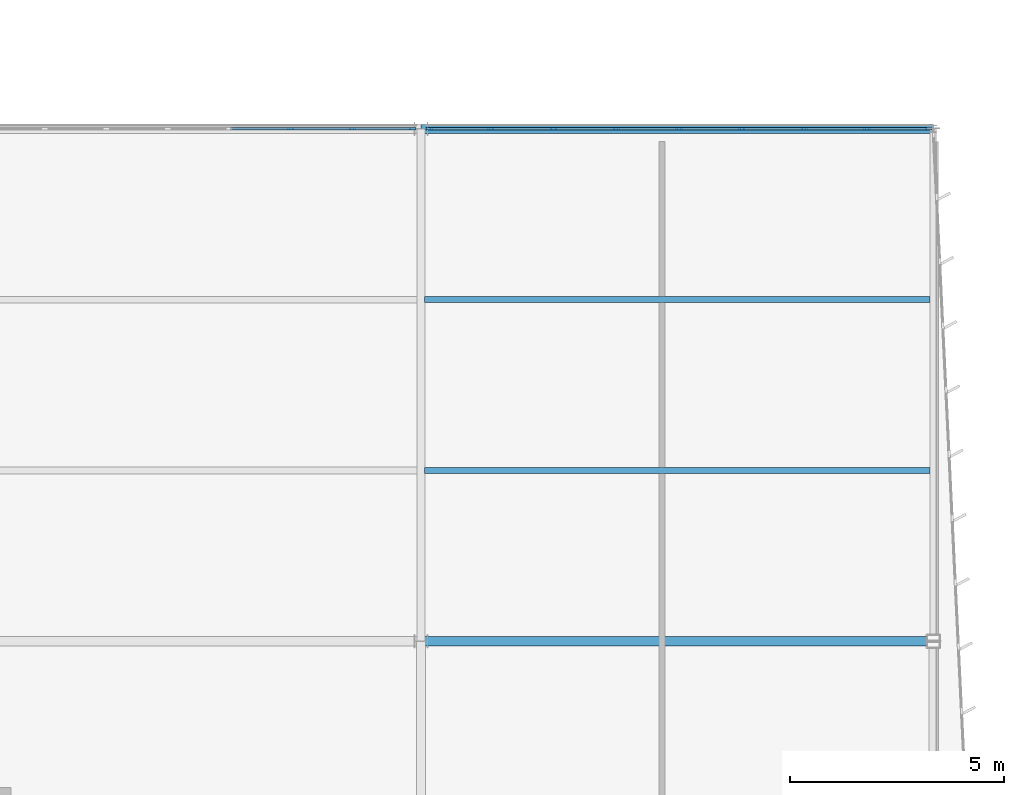
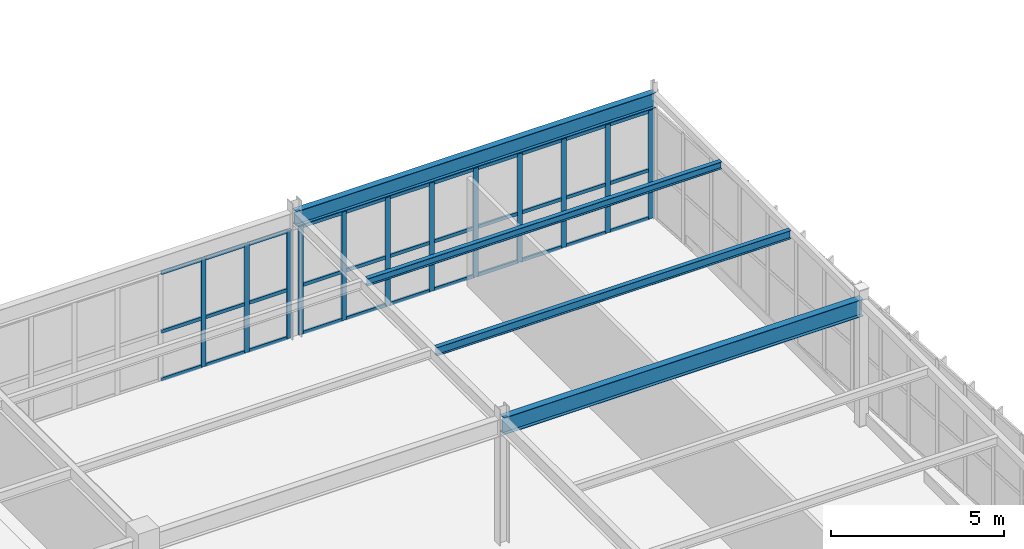
# One storey, part 117 of 226: 45 members, 4 beams, 2 elements without a shape of their own.
"""IFC4 building model written with IfcOpenShell, lengths in metres."""

from ifc_helpers import new_model, si_unit, direction, frame, origin, origin_2d, place, context, subcontext, project, spatial, rectangle, i_section, extrude, material, layer, layer_set, material_profile, profile_set, type_object, element, aggregate, save


model = new_model("IFC4")

# Units and contexts
model_context = context("Model", 3, precision=1e-05, world=origin(), true_north=direction((0.0, 1.0)))
body_context = subcontext(model_context, "Body", "Model", "MODEL_VIEW")
ifc_project = project(units=[si_unit("LENGTHUNIT", "METRE"), si_unit("AREAUNIT", "SQUARE_METRE"), si_unit("VOLUMEUNIT", "CUBIC_METRE"), si_unit("PLANEANGLEUNIT", "RADIAN"), si_unit("MASSUNIT", "GRAM", prefix="KILO")], contexts=[model_context])

# Site, building, storey
site_placement = place(None, origin())
site = spatial("IfcSite", under=ifc_project, at=site_placement, CompositionType="ELEMENT")
building_placement = place(site_placement, origin())
building = spatial("IfcBuilding", under=site, at=building_placement, Name="Tarnwether General Hospital", CompositionType="ELEMENT")
storey_placement = place(building_placement, frame((0.0, 0.0, 4.800048828125)))
storey = spatial("IfcBuildingStorey", under=building, at=storey_placement, Name="L01", CompositionType="ELEMENT", Elevation=4.800048828125)

# Beams
ifc_material_1 = material(Name="Steel Grade 350 (350 MPa)", Category="steel")
ifc_material_profile_1 = material_profile(ifc_material_1, i_section(OverallWidth=0.22802734375, OverallDepth=0.60205078125, WebThickness=0.010498046875, FlangeThickness=0.014892578125, at=origin_2d()), Name="610UB101")
ifc_profile_set_1 = profile_set([ifc_material_profile_1], Name="Steel Grade 350 (350 MPa)")
beam_type_1 = type_object("IfcBeamType", Name="BM-G05", PredefinedType="BEAM", material=ifc_profile_set_1)
beam_1_placement = place(storey_placement, frame((180.0, 33.60009765625, 4.14404296875), z_axis=(1.0, 0.0, 0.0), x_axis=(0.0, 1.0, 0.0)))
element("IfcBeam", 1, at=beam_1_placement, inside=storey, type_object=beam_type_1, Name="Primary Girder BMG-L01-18000_3360-19200_3360-1271", PredefinedType="BEAM", context=body_context, shape_type="SweptSolid", body=[
    extrude(i_section(OverallWidth=0.22802734375, OverallDepth=0.60205078125, WebThickness=0.010498046875, FlangeThickness=0.014892578125, at=origin_2d()), origin(), (0.0, 0.0, 1.0), 12.0),
])
ifc_material_2 = material(Name="Steel Grade 350 (350 MPa)", Category="steel")
ifc_material_profile_2 = material_profile(ifc_material_2, i_section(OverallWidth=0.208984375, OverallDepth=0.532958984375, WebThickness=0.01025390625, FlangeThickness=0.015625, at=origin_2d()), Name="530UB92.4")
ifc_profile_set_2 = profile_set([ifc_material_profile_2], Name="Steel Grade 350 (350 MPa)")
beam_type_2 = type_object("IfcBeamType", Name="BM-G06", PredefinedType="BEAM", material=ifc_profile_set_2)
beam_2_placement = place(storey_placement, frame((180.0, 45.60009765625, 4.178466796875), z_axis=(1.0, 0.0, 0.0), x_axis=(0.0, 1.0, 0.0)))
element("IfcBeam", 2, at=beam_2_placement, inside=storey, type_object=beam_type_2, Name="Primary Girder BMG-L01-18000_4560-19200_4560-1273", PredefinedType="BEAM", context=body_context, shape_type="SweptSolid", body=[
    extrude(i_section(OverallWidth=0.208984375, OverallDepth=0.532958984375, WebThickness=0.01025390625, FlangeThickness=0.015625, at=origin_2d()), origin(), (0.0, 0.0, 1.0), 12.0),
])
ifc_material_3 = material(Name="Steel Grade 350 (350 MPa)", Category="steel")
ifc_material_profile_3 = material_profile(ifc_material_3, i_section(OverallWidth=0.14892578125, OverallDepth=0.298095703125, WebThickness=0.005615234375, FlangeThickness=0.008056640625, at=origin_2d()), Name="310UB32.0")
ifc_profile_set_3 = profile_set([ifc_material_profile_3], Name="Steel Grade 350 (350 MPa)")
beam_type_3 = type_object("IfcBeamType", Name="BM-J08", PredefinedType="JOIST", material=ifc_profile_set_3)
beam_3_placement = place(storey_placement, frame((180.089111328125, 37.60009765625, 4.2958984375), z_axis=(1.0, 0.0, 0.0), x_axis=(0.0, 1.0, 0.0)))
element("IfcBeam", 3, at=beam_3_placement, inside=storey, type_object=beam_type_3, Name="Composite Floor Joist BMG-L01-18009_3760-19192_3760-1431", PredefinedType="JOIST", context=body_context, shape_type="SweptSolid", body=[
    extrude(i_section(OverallWidth=0.14892578125, OverallDepth=0.298095703125, WebThickness=0.005615234375, FlangeThickness=0.008056640625, at=origin_2d()), origin(), (0.0, 0.0, 1.0), 11.830810546875),
])
ifc_material_4 = material(Name="Steel Grade 350 (350 MPa)", Category="steel")
ifc_material_profile_4 = material_profile(ifc_material_4, i_section(OverallWidth=0.14599609375, OverallDepth=0.256103515625, WebThickness=0.00634765625, FlangeThickness=0.010986328125, at=origin_2d()), Name="250UB37.3")
ifc_profile_set_4 = profile_set([ifc_material_profile_4], Name="Steel Grade 350 (350 MPa)")
beam_type_4 = type_object("IfcBeamType", Name="BM-J09", PredefinedType="JOIST", material=ifc_profile_set_4)
beam_4_placement = place(storey_placement, frame((180.089111328125, 41.60009765625, 4.31689453125), z_axis=(1.0, 0.0, 0.0), x_axis=(0.0, 1.0, 0.0)))
element("IfcBeam", 4, at=beam_4_placement, inside=storey, type_object=beam_type_4, Name="Composite Floor Joist BMG-L01-18009_4160-19192_4160-1432", PredefinedType="JOIST", context=body_context, shape_type="SweptSolid", body=[
    extrude(i_section(OverallWidth=0.14599609375, OverallDepth=0.256103515625, WebThickness=0.00634765625, FlangeThickness=0.010986328125, at=origin_2d()), origin(), (0.0, 0.0, 1.0), 11.830810546875),
])

# Curtain wall, members
ifc_material_5 = material(Name="Anodised aluminium", Category="aluminium")
ifc_layer = layer(ifc_material_5, 0.159912109375)
ifc_layer_set = layer_set([ifc_layer], Name="Anodised aluminium")
curtain_wall_type = type_object("IfcCurtainWallType", Name="CW-18", PredefinedType="NOTDEFINED", material=ifc_layer_set)
curtain_wall_1_placement = place(storey_placement, origin())
curtain_wall_1 = element("IfcCurtainWall", 5, at=curtain_wall_1_placement, inside=storey, type_object=curtain_wall_type, Name="Curtain Wall CWG-L01-1683_456-0381", PredefinedType="NOTDEFINED")
ifc_material_6 = material(Name="Anodised aluminium", Category="aluminium")
ifc_material_profile_5 = material_profile(ifc_material_6, rectangle(XDim=0.06005859375, YDim=0.159912109375, at=origin_2d()), Name="ALU-MUL-60x160")
ifc_profile_set_5 = profile_set([ifc_material_profile_5], Name="Anodised aluminium")
member_type_1 = type_object("IfcMemberType", Name="CW-ML1", PredefinedType="MULLION", material=ifc_profile_set_5)
member_1_placement = place(storey_placement, frame((176.950927734375, 45.60009765625, 0.0), z_axis=(0.0, 0.0, 1.0), x_axis=(0.0, 1.0, 0.0)))
member_1 = element("IfcMember", 6, at=member_1_placement, type_object=member_type_1, Name="CW-18 mullion 7", PredefinedType="MULLION", context=body_context, shape_type="SweptSolid", body=[
    extrude(rectangle(XDim=0.06005859375, YDim=0.159912109375, at=origin_2d()), origin(), (0.0, 0.0, 1.0), 3.822998046875),
])
member_2_placement = place(storey_placement, frame((178.3916015625, 45.60009765625, 0.0), z_axis=(0.0, 0.0, 1.0), x_axis=(0.0, 1.0, 0.0)))
member_2 = element("IfcMember", 7, at=member_2_placement, type_object=member_type_1, Name="CW-18 mullion 8", PredefinedType="MULLION", context=body_context, shape_type="SweptSolid", body=[
    extrude(rectangle(XDim=0.06005859375, YDim=0.159912109375, at=origin_2d()), origin(), (0.0, 0.0, 1.0), 3.822998046875),
])
member_3_placement = place(storey_placement, frame((179.802001953125, 45.60009765625, 0.0), z_axis=(0.0, 0.0, 1.0), x_axis=(0.0, 1.0, 0.0)))
member_3 = element("IfcMember", 8, at=member_3_placement, type_object=member_type_1, Name="CW-18 mullion 9", PredefinedType="MULLION", context=body_context, shape_type="SweptSolid", body=[
    extrude(rectangle(XDim=0.06005859375, YDim=0.159912109375, at=origin_2d()), origin(), (0.0, 0.0, 1.0), 3.822998046875),
])

curtain_wall_2_placement = place(storey_placement, origin())
curtain_wall_2 = element("IfcCurtainWall", 9, at=curtain_wall_2_placement, inside=storey, type_object=curtain_wall_type, Name="Curtain Wall CWG-L01-1802_456-0382", PredefinedType="NOTDEFINED")
member_4_placement = place(storey_placement, frame((180.197998046875, 45.60009765625, 0.0), z_axis=(0.0, 0.0, 1.0), x_axis=(0.0, 1.0, 0.0)))
member_4 = element("IfcMember", 10, at=member_4_placement, type_object=member_type_1, Name="CW-18 mullion 1", PredefinedType="MULLION", context=body_context, shape_type="SweptSolid", body=[
    extrude(rectangle(XDim=0.06005859375, YDim=0.159912109375, at=origin_2d()), origin(), (0.0, 0.0, 1.0), 3.827880859375),
])
member_5_placement = place(storey_placement, frame((181.636474609375, 45.60009765625, 0.0), z_axis=(0.0, 0.0, 1.0), x_axis=(0.0, 1.0, 0.0)))
member_5 = element("IfcMember", 11, at=member_5_placement, type_object=member_type_1, Name="CW-18 mullion 2", PredefinedType="MULLION", context=body_context, shape_type="SweptSolid", body=[
    extrude(rectangle(XDim=0.06005859375, YDim=0.159912109375, at=origin_2d()), origin(), (0.0, 0.0, 1.0), 3.827880859375),
])
member_6_placement = place(storey_placement, frame((183.10498046875, 45.60009765625, 0.0), z_axis=(0.0, 0.0, 1.0), x_axis=(0.0, 1.0, 0.0)))
member_6 = element("IfcMember", 12, at=member_6_placement, type_object=member_type_1, Name="CW-18 mullion 3", PredefinedType="MULLION", context=body_context, shape_type="SweptSolid", body=[
    extrude(rectangle(XDim=0.06005859375, YDim=0.159912109375, at=origin_2d()), origin(), (0.0, 0.0, 1.0), 3.827880859375),
])
member_7_placement = place(storey_placement, frame((184.573486328125, 45.60009765625, 0.0), z_axis=(0.0, 0.0, 1.0), x_axis=(0.0, 1.0, 0.0)))
member_7 = element("IfcMember", 13, at=member_7_placement, type_object=member_type_1, Name="CW-18 mullion 4", PredefinedType="MULLION", context=body_context, shape_type="SweptSolid", body=[
    extrude(rectangle(XDim=0.06005859375, YDim=0.159912109375, at=origin_2d()), origin(), (0.0, 0.0, 1.0), 3.827880859375),
])
member_8_placement = place(storey_placement, frame((186.0419921875, 45.60009765625, 0.0), z_axis=(0.0, 0.0, 1.0), x_axis=(0.0, 1.0, 0.0)))
member_8 = element("IfcMember", 14, at=member_8_placement, type_object=member_type_1, Name="CW-18 mullion 5", PredefinedType="MULLION", context=body_context, shape_type="SweptSolid", body=[
    extrude(rectangle(XDim=0.06005859375, YDim=0.159912109375, at=origin_2d()), origin(), (0.0, 0.0, 1.0), 3.827880859375),
])
member_9_placement = place(storey_placement, frame((187.510498046875, 45.60009765625, 0.0), z_axis=(0.0, 0.0, 1.0), x_axis=(0.0, 1.0, 0.0)))
member_9 = element("IfcMember", 15, at=member_9_placement, type_object=member_type_1, Name="CW-18 mullion 6", PredefinedType="MULLION", context=body_context, shape_type="SweptSolid", body=[
    extrude(rectangle(XDim=0.06005859375, YDim=0.159912109375, at=origin_2d()), origin(), (0.0, 0.0, 1.0), 3.827880859375),
])
member_10_placement = place(storey_placement, frame((188.97900390625, 45.60009765625, 0.0), z_axis=(0.0, 0.0, 1.0), x_axis=(0.0, 1.0, 0.0)))
member_10 = element("IfcMember", 16, at=member_10_placement, type_object=member_type_1, Name="CW-18 mullion 7", PredefinedType="MULLION", context=body_context, shape_type="SweptSolid", body=[
    extrude(rectangle(XDim=0.06005859375, YDim=0.159912109375, at=origin_2d()), origin(), (0.0, 0.0, 1.0), 3.827880859375),
])
member_11_placement = place(storey_placement, frame((190.447509765625, 45.60009765625, 0.0), z_axis=(0.0, 0.0, 1.0), x_axis=(0.0, 1.0, 0.0)))
member_11 = element("IfcMember", 17, at=member_11_placement, type_object=member_type_1, Name="CW-18 mullion 8", PredefinedType="MULLION", context=body_context, shape_type="SweptSolid", body=[
    extrude(rectangle(XDim=0.06005859375, YDim=0.159912109375, at=origin_2d()), origin(), (0.0, 0.0, 1.0), 3.827880859375),
])
member_12_placement = place(storey_placement, frame((191.885986328125, 45.60009765625, 0.0), z_axis=(0.0, 0.0, 1.0), x_axis=(0.0, 1.0, 0.0)))
member_12 = element("IfcMember", 18, at=member_12_placement, type_object=member_type_1, Name="CW-18 mullion 9", PredefinedType="MULLION", context=body_context, shape_type="SweptSolid", body=[
    extrude(rectangle(XDim=0.06005859375, YDim=0.159912109375, at=origin_2d()), origin(), (0.0, 0.0, 1.0), 3.827880859375),
])

# Member
ifc_material_7 = material(Name="Anodised aluminium", Category="aluminium")
ifc_material_profile_6 = material_profile(ifc_material_7, rectangle(XDim=0.06005859375, YDim=0.1201171875, at=origin_2d()), Name="ALU-TRN-60x120")
ifc_profile_set_6 = profile_set([ifc_material_profile_6], Name="Anodised aluminium")
member_type_2 = type_object("IfcMemberType", Name="CW-TR1", PredefinedType="USERDEFINED", material=ifc_profile_set_6)
member_13_placement = place(storey_placement, frame((175.54052734375, 45.60009765625, 0.030029296875), z_axis=(1.0, 0.0, 0.0), x_axis=(0.0, 1.0, 0.0)))
member_13 = element("IfcMember", 19, at=member_13_placement, type_object=member_type_2, Name="CW-18 transom 6.1", ObjectType="TRANSOM", PredefinedType="USERDEFINED", context=body_context, shape_type="SweptSolid", body=[
    extrude(rectangle(XDim=0.06005859375, YDim=0.1201171875, at=origin_2d()), origin(), (0.0, 0.0, 1.0), 1.38037109375),
])

member_14_placement = place(storey_placement, frame((175.54052734375, 45.60009765625, 1.72021484375), z_axis=(1.0, 0.0, 0.0), x_axis=(0.0, 1.0, 0.0)))
member_14 = element("IfcMember", 20, at=member_14_placement, type_object=member_type_2, Name="CW-18 transom 6.2", ObjectType="TRANSOM", PredefinedType="USERDEFINED", context=body_context, shape_type="SweptSolid", body=[
    extrude(rectangle(XDim=0.06005859375, YDim=0.1201171875, at=origin_2d()), origin(), (0.0, 0.0, 1.0), 1.38037109375),
])

member_15_placement = place(storey_placement, frame((175.54052734375, 45.60009765625, 3.79296875), z_axis=(1.0, 0.0, 0.0), x_axis=(0.0, 1.0, 0.0)))
member_15 = element("IfcMember", 21, at=member_15_placement, type_object=member_type_2, Name="CW-18 transom 6.3", ObjectType="TRANSOM", PredefinedType="USERDEFINED", context=body_context, shape_type="SweptSolid", body=[
    extrude(rectangle(XDim=0.06005859375, YDim=0.1201171875, at=origin_2d()), origin(), (0.0, 0.0, 1.0), 1.38037109375),
])

member_16_placement = place(storey_placement, frame((176.98095703125, 45.60009765625, 0.030029296875), z_axis=(1.0, 0.0, 0.0), x_axis=(0.0, 1.0, 0.0)))
member_16 = element("IfcMember", 22, at=member_16_placement, type_object=member_type_2, Name="CW-18 transom 7.1", ObjectType="TRANSOM", PredefinedType="USERDEFINED", context=body_context, shape_type="SweptSolid", body=[
    extrude(rectangle(XDim=0.06005859375, YDim=0.1201171875, at=origin_2d()), origin(), (0.0, 0.0, 1.0), 1.380615234375),
])

member_17_placement = place(storey_placement, frame((176.98095703125, 45.60009765625, 1.72021484375), z_axis=(1.0, 0.0, 0.0), x_axis=(0.0, 1.0, 0.0)))
member_17 = element("IfcMember", 23, at=member_17_placement, type_object=member_type_2, Name="CW-18 transom 7.2", ObjectType="TRANSOM", PredefinedType="USERDEFINED", context=body_context, shape_type="SweptSolid", body=[
    extrude(rectangle(XDim=0.06005859375, YDim=0.1201171875, at=origin_2d()), origin(), (0.0, 0.0, 1.0), 1.380615234375),
])

member_18_placement = place(storey_placement, frame((176.98095703125, 45.60009765625, 3.79296875), z_axis=(1.0, 0.0, 0.0), x_axis=(0.0, 1.0, 0.0)))
member_18 = element("IfcMember", 24, at=member_18_placement, type_object=member_type_2, Name="CW-18 transom 7.3", ObjectType="TRANSOM", PredefinedType="USERDEFINED", context=body_context, shape_type="SweptSolid", body=[
    extrude(rectangle(XDim=0.06005859375, YDim=0.1201171875, at=origin_2d()), origin(), (0.0, 0.0, 1.0), 1.380615234375),
])

member_19_placement = place(storey_placement, frame((178.42138671875, 45.60009765625, 0.030029296875), z_axis=(1.0, 0.0, 0.0), x_axis=(0.0, 1.0, 0.0)))
member_19 = element("IfcMember", 25, at=member_19_placement, type_object=member_type_2, Name="CW-18 transom 8.1", ObjectType="TRANSOM", PredefinedType="USERDEFINED", context=body_context, shape_type="SweptSolid", body=[
    extrude(rectangle(XDim=0.06005859375, YDim=0.1201171875, at=origin_2d()), origin(), (0.0, 0.0, 1.0), 1.3505859375),
])

member_20_placement = place(storey_placement, frame((178.42138671875, 45.60009765625, 1.72021484375), z_axis=(1.0, 0.0, 0.0), x_axis=(0.0, 1.0, 0.0)))
member_20 = element("IfcMember", 26, at=member_20_placement, type_object=member_type_2, Name="CW-18 transom 8.2", ObjectType="TRANSOM", PredefinedType="USERDEFINED", context=body_context, shape_type="SweptSolid", body=[
    extrude(rectangle(XDim=0.06005859375, YDim=0.1201171875, at=origin_2d()), origin(), (0.0, 0.0, 1.0), 1.3505859375),
])

member_21_placement = place(storey_placement, frame((178.42138671875, 45.60009765625, 3.79296875), z_axis=(1.0, 0.0, 0.0), x_axis=(0.0, 1.0, 0.0)))
member_21 = element("IfcMember", 27, at=member_21_placement, type_object=member_type_2, Name="CW-18 transom 8.3", ObjectType="TRANSOM", PredefinedType="USERDEFINED", context=body_context, shape_type="SweptSolid", body=[
    extrude(rectangle(XDim=0.06005859375, YDim=0.1201171875, at=origin_2d()), origin(), (0.0, 0.0, 1.0), 1.3505859375),
])

aggregate(curtain_wall_1, [member_1, member_2, member_3, member_13, member_14, member_15, member_16, member_17, member_18, member_19, member_20, member_21])

member_22_placement = place(storey_placement, frame((180.22802734375, 45.60009765625, 0.030029296875), z_axis=(1.0, 0.0, 0.0), x_axis=(0.0, 1.0, 0.0)))
member_22 = element("IfcMember", 28, at=member_22_placement, type_object=member_type_2, Name="CW-18 transom 1.1", ObjectType="TRANSOM", PredefinedType="USERDEFINED", context=body_context, shape_type="SweptSolid", body=[
    extrude(rectangle(XDim=0.06005859375, YDim=0.1201171875, at=origin_2d()), origin(), (0.0, 0.0, 1.0), 1.37841796875),
])

member_23_placement = place(storey_placement, frame((180.22802734375, 45.60009765625, 1.72265625), z_axis=(1.0, 0.0, 0.0), x_axis=(0.0, 1.0, 0.0)))
member_23 = element("IfcMember", 29, at=member_23_placement, type_object=member_type_2, Name="CW-18 transom 1.2", ObjectType="TRANSOM", PredefinedType="USERDEFINED", context=body_context, shape_type="SweptSolid", body=[
    extrude(rectangle(XDim=0.06005859375, YDim=0.1201171875, at=origin_2d()), origin(), (0.0, 0.0, 1.0), 1.37841796875),
])

member_24_placement = place(storey_placement, frame((180.22802734375, 45.60009765625, 3.7978515625), z_axis=(1.0, 0.0, 0.0), x_axis=(0.0, 1.0, 0.0)))
member_24 = element("IfcMember", 30, at=member_24_placement, type_object=member_type_2, Name="CW-18 transom 1.3", ObjectType="TRANSOM", PredefinedType="USERDEFINED", context=body_context, shape_type="SweptSolid", body=[
    extrude(rectangle(XDim=0.06005859375, YDim=0.1201171875, at=origin_2d()), origin(), (0.0, 0.0, 1.0), 1.37841796875),
])

member_25_placement = place(storey_placement, frame((181.66650390625, 45.60009765625, 0.030029296875), z_axis=(1.0, 0.0, 0.0), x_axis=(0.0, 1.0, 0.0)))
member_25 = element("IfcMember", 31, at=member_25_placement, type_object=member_type_2, Name="CW-18 transom 2.1", ObjectType="TRANSOM", PredefinedType="USERDEFINED", context=body_context, shape_type="SweptSolid", body=[
    extrude(rectangle(XDim=0.06005859375, YDim=0.1201171875, at=origin_2d()), origin(), (0.0, 0.0, 1.0), 1.408447265625),
])

member_26_placement = place(storey_placement, frame((181.66650390625, 45.60009765625, 1.72265625), z_axis=(1.0, 0.0, 0.0), x_axis=(0.0, 1.0, 0.0)))
member_26 = element("IfcMember", 32, at=member_26_placement, type_object=member_type_2, Name="CW-18 transom 2.2", ObjectType="TRANSOM", PredefinedType="USERDEFINED", context=body_context, shape_type="SweptSolid", body=[
    extrude(rectangle(XDim=0.06005859375, YDim=0.1201171875, at=origin_2d()), origin(), (0.0, 0.0, 1.0), 1.408447265625),
])

member_27_placement = place(storey_placement, frame((181.66650390625, 45.60009765625, 3.7978515625), z_axis=(1.0, 0.0, 0.0), x_axis=(0.0, 1.0, 0.0)))
member_27 = element("IfcMember", 33, at=member_27_placement, type_object=member_type_2, Name="CW-18 transom 2.3", ObjectType="TRANSOM", PredefinedType="USERDEFINED", context=body_context, shape_type="SweptSolid", body=[
    extrude(rectangle(XDim=0.06005859375, YDim=0.1201171875, at=origin_2d()), origin(), (0.0, 0.0, 1.0), 1.408447265625),
])

member_28_placement = place(storey_placement, frame((183.135009765625, 45.60009765625, 0.030029296875), z_axis=(1.0, 0.0, 0.0), x_axis=(0.0, 1.0, 0.0)))
member_28 = element("IfcMember", 34, at=member_28_placement, type_object=member_type_2, Name="CW-18 transom 3.1", ObjectType="TRANSOM", PredefinedType="USERDEFINED", context=body_context, shape_type="SweptSolid", body=[
    extrude(rectangle(XDim=0.06005859375, YDim=0.1201171875, at=origin_2d()), origin(), (0.0, 0.0, 1.0), 1.408447265625),
])

member_29_placement = place(storey_placement, frame((183.135009765625, 45.60009765625, 1.72265625), z_axis=(1.0, 0.0, 0.0), x_axis=(0.0, 1.0, 0.0)))
member_29 = element("IfcMember", 35, at=member_29_placement, type_object=member_type_2, Name="CW-18 transom 3.2", ObjectType="TRANSOM", PredefinedType="USERDEFINED", context=body_context, shape_type="SweptSolid", body=[
    extrude(rectangle(XDim=0.06005859375, YDim=0.1201171875, at=origin_2d()), origin(), (0.0, 0.0, 1.0), 1.408447265625),
])

member_30_placement = place(storey_placement, frame((183.135009765625, 45.60009765625, 3.7978515625), z_axis=(1.0, 0.0, 0.0), x_axis=(0.0, 1.0, 0.0)))
member_30 = element("IfcMember", 36, at=member_30_placement, type_object=member_type_2, Name="CW-18 transom 3.3", ObjectType="TRANSOM", PredefinedType="USERDEFINED", context=body_context, shape_type="SweptSolid", body=[
    extrude(rectangle(XDim=0.06005859375, YDim=0.1201171875, at=origin_2d()), origin(), (0.0, 0.0, 1.0), 1.408447265625),
])

member_31_placement = place(storey_placement, frame((184.603515625, 45.60009765625, 0.030029296875), z_axis=(1.0, 0.0, 0.0), x_axis=(0.0, 1.0, 0.0)))
member_31 = element("IfcMember", 37, at=member_31_placement, type_object=member_type_2, Name="CW-18 transom 4.1", ObjectType="TRANSOM", PredefinedType="USERDEFINED", context=body_context, shape_type="SweptSolid", body=[
    extrude(rectangle(XDim=0.06005859375, YDim=0.1201171875, at=origin_2d()), origin(), (0.0, 0.0, 1.0), 1.408447265625),
])

member_32_placement = place(storey_placement, frame((184.603515625, 45.60009765625, 1.72265625), z_axis=(1.0, 0.0, 0.0), x_axis=(0.0, 1.0, 0.0)))
member_32 = element("IfcMember", 38, at=member_32_placement, type_object=member_type_2, Name="CW-18 transom 4.2", ObjectType="TRANSOM", PredefinedType="USERDEFINED", context=body_context, shape_type="SweptSolid", body=[
    extrude(rectangle(XDim=0.06005859375, YDim=0.1201171875, at=origin_2d()), origin(), (0.0, 0.0, 1.0), 1.408447265625),
])

member_33_placement = place(storey_placement, frame((184.603515625, 45.60009765625, 3.7978515625), z_axis=(1.0, 0.0, 0.0), x_axis=(0.0, 1.0, 0.0)))
member_33 = element("IfcMember", 39, at=member_33_placement, type_object=member_type_2, Name="CW-18 transom 4.3", ObjectType="TRANSOM", PredefinedType="USERDEFINED", context=body_context, shape_type="SweptSolid", body=[
    extrude(rectangle(XDim=0.06005859375, YDim=0.1201171875, at=origin_2d()), origin(), (0.0, 0.0, 1.0), 1.408447265625),
])

member_34_placement = place(storey_placement, frame((186.072021484375, 45.60009765625, 0.030029296875), z_axis=(1.0, 0.0, 0.0), x_axis=(0.0, 1.0, 0.0)))
member_34 = element("IfcMember", 40, at=member_34_placement, type_object=member_type_2, Name="CW-18 transom 5.1", ObjectType="TRANSOM", PredefinedType="USERDEFINED", context=body_context, shape_type="SweptSolid", body=[
    extrude(rectangle(XDim=0.06005859375, YDim=0.1201171875, at=origin_2d()), origin(), (0.0, 0.0, 1.0), 1.408447265625),
])

member_35_placement = place(storey_placement, frame((186.072021484375, 45.60009765625, 1.72265625), z_axis=(1.0, 0.0, 0.0), x_axis=(0.0, 1.0, 0.0)))
member_35 = element("IfcMember", 41, at=member_35_placement, type_object=member_type_2, Name="CW-18 transom 5.2", ObjectType="TRANSOM", PredefinedType="USERDEFINED", context=body_context, shape_type="SweptSolid", body=[
    extrude(rectangle(XDim=0.06005859375, YDim=0.1201171875, at=origin_2d()), origin(), (0.0, 0.0, 1.0), 1.408447265625),
])

member_36_placement = place(storey_placement, frame((186.072021484375, 45.60009765625, 3.7978515625), z_axis=(1.0, 0.0, 0.0), x_axis=(0.0, 1.0, 0.0)))
member_36 = element("IfcMember", 42, at=member_36_placement, type_object=member_type_2, Name="CW-18 transom 5.3", ObjectType="TRANSOM", PredefinedType="USERDEFINED", context=body_context, shape_type="SweptSolid", body=[
    extrude(rectangle(XDim=0.06005859375, YDim=0.1201171875, at=origin_2d()), origin(), (0.0, 0.0, 1.0), 1.408447265625),
])

member_37_placement = place(storey_placement, frame((187.54052734375, 45.60009765625, 0.030029296875), z_axis=(1.0, 0.0, 0.0), x_axis=(0.0, 1.0, 0.0)))
member_37 = element("IfcMember", 43, at=member_37_placement, type_object=member_type_2, Name="CW-18 transom 6.1", ObjectType="TRANSOM", PredefinedType="USERDEFINED", context=body_context, shape_type="SweptSolid", body=[
    extrude(rectangle(XDim=0.06005859375, YDim=0.1201171875, at=origin_2d()), origin(), (0.0, 0.0, 1.0), 1.408447265625),
])

member_38_placement = place(storey_placement, frame((187.54052734375, 45.60009765625, 1.72265625), z_axis=(1.0, 0.0, 0.0), x_axis=(0.0, 1.0, 0.0)))
member_38 = element("IfcMember", 44, at=member_38_placement, type_object=member_type_2, Name="CW-18 transom 6.2", ObjectType="TRANSOM", PredefinedType="USERDEFINED", context=body_context, shape_type="SweptSolid", body=[
    extrude(rectangle(XDim=0.06005859375, YDim=0.1201171875, at=origin_2d()), origin(), (0.0, 0.0, 1.0), 1.408447265625),
])

member_39_placement = place(storey_placement, frame((187.54052734375, 45.60009765625, 3.7978515625), z_axis=(1.0, 0.0, 0.0), x_axis=(0.0, 1.0, 0.0)))
member_39 = element("IfcMember", 45, at=member_39_placement, type_object=member_type_2, Name="CW-18 transom 6.3", ObjectType="TRANSOM", PredefinedType="USERDEFINED", context=body_context, shape_type="SweptSolid", body=[
    extrude(rectangle(XDim=0.06005859375, YDim=0.1201171875, at=origin_2d()), origin(), (0.0, 0.0, 1.0), 1.408447265625),
])

member_40_placement = place(storey_placement, frame((189.009033203125, 45.60009765625, 0.030029296875), z_axis=(1.0, 0.0, 0.0), x_axis=(0.0, 1.0, 0.0)))
member_40 = element("IfcMember", 46, at=member_40_placement, type_object=member_type_2, Name="CW-18 transom 7.1", ObjectType="TRANSOM", PredefinedType="USERDEFINED", context=body_context, shape_type="SweptSolid", body=[
    extrude(rectangle(XDim=0.06005859375, YDim=0.1201171875, at=origin_2d()), origin(), (0.0, 0.0, 1.0), 1.408447265625),
])

member_41_placement = place(storey_placement, frame((189.009033203125, 45.60009765625, 1.72265625), z_axis=(1.0, 0.0, 0.0), x_axis=(0.0, 1.0, 0.0)))
member_41 = element("IfcMember", 47, at=member_41_placement, type_object=member_type_2, Name="CW-18 transom 7.2", ObjectType="TRANSOM", PredefinedType="USERDEFINED", context=body_context, shape_type="SweptSolid", body=[
    extrude(rectangle(XDim=0.06005859375, YDim=0.1201171875, at=origin_2d()), origin(), (0.0, 0.0, 1.0), 1.408447265625),
])

member_42_placement = place(storey_placement, frame((189.009033203125, 45.60009765625, 3.7978515625), z_axis=(1.0, 0.0, 0.0), x_axis=(0.0, 1.0, 0.0)))
member_42 = element("IfcMember", 48, at=member_42_placement, type_object=member_type_2, Name="CW-18 transom 7.3", ObjectType="TRANSOM", PredefinedType="USERDEFINED", context=body_context, shape_type="SweptSolid", body=[
    extrude(rectangle(XDim=0.06005859375, YDim=0.1201171875, at=origin_2d()), origin(), (0.0, 0.0, 1.0), 1.408447265625),
])

member_43_placement = place(storey_placement, frame((190.4775390625, 45.60009765625, 0.030029296875), z_axis=(1.0, 0.0, 0.0), x_axis=(0.0, 1.0, 0.0)))
member_43 = element("IfcMember", 49, at=member_43_placement, type_object=member_type_2, Name="CW-18 transom 8.1", ObjectType="TRANSOM", PredefinedType="USERDEFINED", context=body_context, shape_type="SweptSolid", body=[
    extrude(rectangle(XDim=0.06005859375, YDim=0.1201171875, at=origin_2d()), origin(), (0.0, 0.0, 1.0), 1.37841796875),
])

member_44_placement = place(storey_placement, frame((190.4775390625, 45.60009765625, 1.72265625), z_axis=(1.0, 0.0, 0.0), x_axis=(0.0, 1.0, 0.0)))
member_44 = element("IfcMember", 50, at=member_44_placement, type_object=member_type_2, Name="CW-18 transom 8.2", ObjectType="TRANSOM", PredefinedType="USERDEFINED", context=body_context, shape_type="SweptSolid", body=[
    extrude(rectangle(XDim=0.06005859375, YDim=0.1201171875, at=origin_2d()), origin(), (0.0, 0.0, 1.0), 1.37841796875),
])

member_45_placement = place(storey_placement, frame((190.4775390625, 45.60009765625, 3.7978515625), z_axis=(1.0, 0.0, 0.0), x_axis=(0.0, 1.0, 0.0)))
member_45 = element("IfcMember", 51, at=member_45_placement, type_object=member_type_2, Name="CW-18 transom 8.3", ObjectType="TRANSOM", PredefinedType="USERDEFINED", context=body_context, shape_type="SweptSolid", body=[
    extrude(rectangle(XDim=0.06005859375, YDim=0.1201171875, at=origin_2d()), origin(), (0.0, 0.0, 1.0), 1.37841796875),
])

aggregate(curtain_wall_2, [member_4, member_5, member_6, member_7, member_8, member_9, member_10, member_11, member_12, member_22, member_23, member_24, member_25, member_26, member_27, member_28, member_29, member_30, member_31, member_32, member_33, member_34, member_35, member_36, member_37, member_38, member_39, member_40, member_41, member_42, member_43, member_44, member_45])

save(model, "model.ifc")
